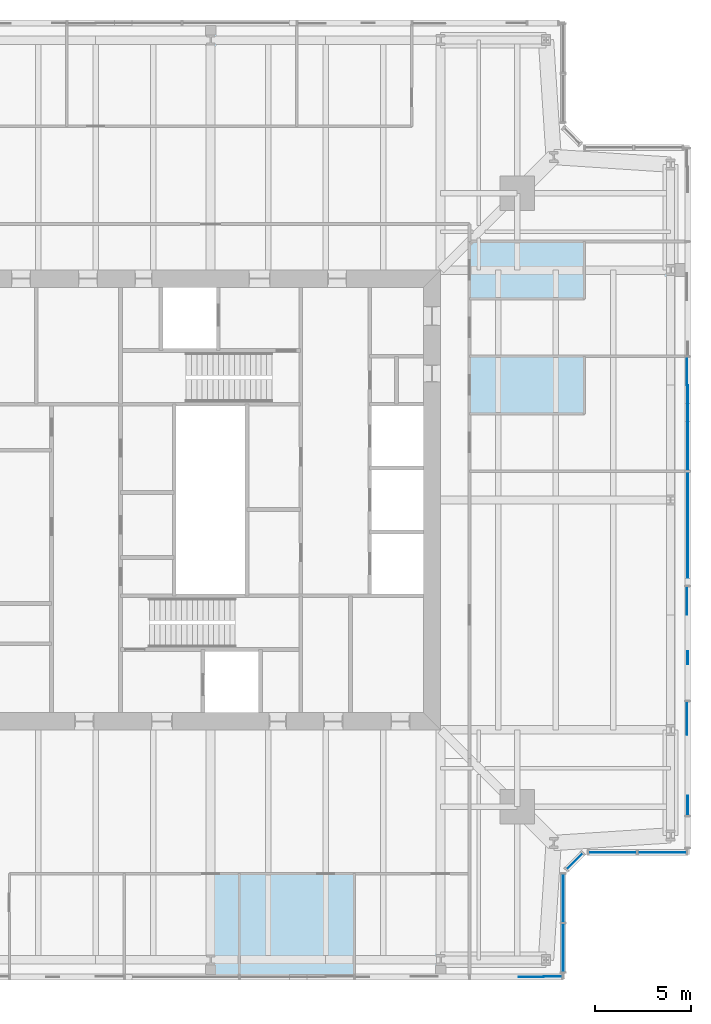
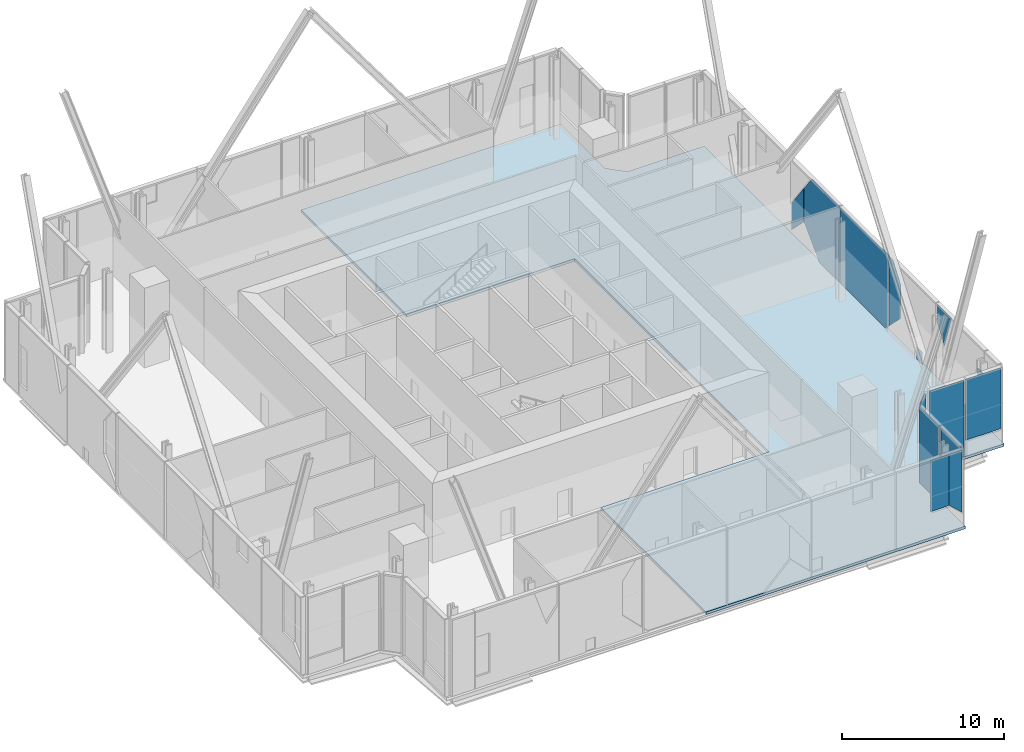
# One storey, part 8 of 20: 14 plates, 1 slab, 5 elements without a shape of their own.
"""IFC4 building model written with IfcOpenShell, lengths in metres."""

from ifc_helpers import new_model, si_unit, direction, frame, origin, origin_2d, place, context, subcontext, project, spatial, polyline, rectangle, outline, extrude, material, layer, layer_set, type_object, element, aggregate, save


model = new_model("IFC4")

# Units and contexts
model_context = context("Model", 3, precision=1e-05, world=origin(), true_north=direction((0.0, 1.0)))
body_context = subcontext(model_context, "Body", "Model", "MODEL_VIEW")
ifc_project = project(units=[si_unit("LENGTHUNIT", "METRE"), si_unit("AREAUNIT", "SQUARE_METRE"), si_unit("VOLUMEUNIT", "CUBIC_METRE"), si_unit("PLANEANGLEUNIT", "RADIAN"), si_unit("MASSUNIT", "GRAM", prefix="KILO")], contexts=[model_context])

# Site, building, storey
site_placement = place(None, origin())
site = spatial("IfcSite", under=ifc_project, at=site_placement, CompositionType="ELEMENT")
building_placement = place(site_placement, origin())
building = spatial("IfcBuilding", under=site, at=building_placement, Name="Fenwick Lantern Interchange", CompositionType="ELEMENT")
storey_placement = place(building_placement, frame((0.0, 0.0, 239.800048828125)))
storey = spatial("IfcBuildingStorey", under=building, at=storey_placement, Name="L56", CompositionType="ELEMENT", Elevation=239.800048828125)

# Slab
ifc_material_1 = material(Name="Concrete f'c 35 MPa", Category="concrete")
ifc_layer_1 = layer(ifc_material_1, 0.199951171875)
ifc_layer_set_1 = layer_set([ifc_layer_1], Name="Concrete f'c 35 MPa")
slab_type = type_object("IfcSlabType", Name="FLOOR SLAB 200", PredefinedType="FLOOR", material=ifc_layer_set_1)
slab_placement = place(storey_placement, frame((0.0, 0.0, -0.199951171875)))
element("IfcSlab", 1, at=slab_placement, inside=storey, type_object=slab_type, Name="L56/SLAB/FE", PredefinedType="FLOOR", context=body_context, shape_type="SweptSolid", body=[
    extrude(outline(polyline([(43.5, 50.0), (43.5, 44.5), (44.5, 43.5), (50.0, 43.5), (50.0, 6.5), (44.5, 6.5), (43.5, 5.5), (43.5, 0.0), (25.0, 0.0), (25.0, 13.0), (37.0, 13.0), (37.0, 37.0), (25.0, 37.0), (25.0, 50.0), (43.5, 50.0)])), origin(), (0.0, 0.0, 1.0), 0.199951171875),
])

# Curtain wall, plates
ifc_material_2 = material(Name="Aluminium curtain wall frame", Category="aluminium")
curtain_wall_type = type_object("IfcCurtainWallType", Name="SKY LOBBY GLAZING", PredefinedType="USERDEFINED", material=ifc_material_2)
curtain_wall_1_placement = place(storey_placement, origin())
curtain_wall_1 = element("IfcCurtainWall", 2, at=curtain_wall_1_placement, inside=storey, type_object=curtain_wall_type, Name="Sky lobby glazing 01", ObjectType="SKY LOBBY GLAZING", PredefinedType="USERDEFINED")
ifc_material_3 = material(Name="Vision glass, clear laminated double glazed", Category="glass")
ifc_layer_2 = layer(ifc_material_3, 0.035888671875)
ifc_layer_set_2 = layer_set([ifc_layer_2], Name="SKY LOBBY GLAZING PANEL 36")
plate_type = type_object("IfcPlateType", Name="SKY LOBBY GLAZING PANEL 36", PredefinedType="CURTAIN_PANEL", material=ifc_layer_set_2)
plate_1_placement = place(storey_placement, frame((6.60009765625, 0.10009765625, 1.89306640625), z_axis=(0.0, 0.0, 1.0), x_axis=(1.0, 0.0, 0.0)))
plate_1 = element("IfcPlate", 3, at=plate_1_placement, type_object=plate_type, Name="L56/CW/01/P06a", PredefinedType="CURTAIN_PANEL", context=body_context, shape_type="SweptSolid", body=[
    extrude(outline(polyline([(34.47021484375, 0.0), (35.789306640625, 0.0), (35.789306640625, 3.8369140625), (34.47021484375, 3.8369140625), (34.47021484375, 0.0)])), frame((0.0, 0.01806640625, 0.0), z_axis=(0.0, -1.0, 0.0), x_axis=(1.0, 0.0, 0.0)), (0.0, 0.0, 1.0), 0.035888671875),
])
plate_2_placement = place(storey_placement, frame((6.60009765625, 0.10009765625, 1.0400390625), z_axis=(0.0, 0.0, 1.0), x_axis=(1.0, 0.0, 0.0)))
plate_2 = element("IfcPlate", 4, at=plate_2_placement, type_object=plate_type, Name="L56/CW/01/P06b", PredefinedType="CURTAIN_PANEL", context=body_context, shape_type="SweptSolid", body=[
    extrude(outline(polyline([(36.719970703125, 0.0), (36.719970703125, 4.68994140625), (35.789306640625, 4.68994140625), (35.789306640625, 0.85302734375), (36.719970703125, 0.0)])), frame((0.0, 0.05615234375, 0.0), z_axis=(0.0, -1.0, 0.0), x_axis=(1.0, 0.0, 0.0)), (0.0, 0.0, 1.0), 0.035888671875),
])
aggregate(curtain_wall_1, [plate_1, plate_2])

curtain_wall_2_placement = place(storey_placement, origin())
curtain_wall_2 = element("IfcCurtainWall", 5, at=curtain_wall_2_placement, inside=storey, type_object=curtain_wall_type, Name="Sky lobby glazing 02", ObjectType="SKY LOBBY GLAZING", PredefinedType="USERDEFINED")
plate_3_placement = place(storey_placement, frame((43.39990234375, 0.10009765625, 1.14990234375), z_axis=(0.0, 0.0, 1.0), x_axis=(0.0, 1.0, 0.0)))
plate_3 = element("IfcPlate", 6, at=plate_3_placement, type_object=plate_type, Name="L56/CW/02/P00a", PredefinedType="CURTAIN_PANEL", context=body_context, shape_type="SweptSolid", body=[
    extrude(outline(polyline([(0.280029296875, 0.0), (2.699951171875, 0.0), (2.699951171875, 4.580078125), (0.280029296875, 4.580078125), (0.280029296875, 0.0)])), frame((0.0, 0.01806640625, 0.0), z_axis=(0.0, -1.0, 0.0), x_axis=(1.0, 0.0, 0.0)), (0.0, 0.0, 1.0), 0.035888671875),
])
plate_4_placement = place(storey_placement, frame((43.39990234375, 4.211181640625, 0.0), z_axis=(0.0, 0.0, 1.0), x_axis=(0.0, 1.0, 0.0)))
plate_4 = element("IfcPlate", 7, at=plate_4_placement, type_object=plate_type, Name="L56/CW/02/P01", PredefinedType="CURTAIN_PANEL", context=body_context, shape_type="SweptSolid", body=[
    extrude(rectangle(XDim=2.500732421875, YDim=0.035888671875, at=origin_2d()), origin(), (0.0, 0.0, 1.0), 5.72998046875),
])
aggregate(curtain_wall_2, [plate_3, plate_4])

# Curtain wall, plate
curtain_wall_3_placement = place(storey_placement, origin())
curtain_wall_3 = element("IfcCurtainWall", 8, at=curtain_wall_3_placement, inside=storey, type_object=curtain_wall_type, Name="Sky lobby glazing 03", ObjectType="SKY LOBBY GLAZING", PredefinedType="USERDEFINED")
plate_5_placement = place(storey_placement, frame((44.0, 6.141357421875, 0.0), z_axis=(0.0, 0.0, 1.0), x_axis=(0.707106781187, 0.707106781187, 0.0)))
plate_5 = element("IfcPlate", 9, at=plate_5_placement, type_object=plate_type, Name="L56/CW/03/P00", PredefinedType="CURTAIN_PANEL", context=body_context, shape_type="SweptSolid", body=[
    extrude(rectangle(XDim=1.136962890625, YDim=0.035888671875, at=origin_2d()), origin(), (0.0, 0.0, 1.0), 5.72998046875),
])
aggregate(curtain_wall_3, [plate_5])

# Curtain wall, plates
curtain_wall_4_placement = place(storey_placement, origin())
curtain_wall_4 = element("IfcCurtainWall", 10, at=curtain_wall_4_placement, inside=storey, type_object=curtain_wall_type, Name="Sky lobby glazing 04", ObjectType="SKY LOBBY GLAZING", PredefinedType="USERDEFINED")
plate_6_placement = place(storey_placement, frame((44.45849609375, 6.60009765625, 0.0), z_axis=(0.0, 0.0, 1.0), x_axis=(1.0, 0.0, 0.0)))
plate_6 = element("IfcPlate", 11, at=plate_6_placement, type_object=plate_type, Name="L56/CW/04/P00a", PredefinedType="CURTAIN_PANEL", context=body_context, shape_type="SweptSolid", body=[
    extrude(outline(polyline([(0.280029296875, 0.0), (2.741455078125, 0.0), (2.741455078125, 5.72998046875), (0.280029296875, 5.72998046875), (0.280029296875, 0.0)])), frame((0.0, 0.01806640625, 0.0), z_axis=(0.0, -1.0, 0.0), x_axis=(1.0, 0.0, 0.0)), (0.0, 0.0, 1.0), 0.035888671875),
])
plate_7_placement = place(storey_placement, frame((44.45849609375, 6.60009765625, 1.14990234375), z_axis=(0.0, 0.0, 1.0), x_axis=(1.0, 0.0, 0.0)))
plate_7 = element("IfcPlate", 12, at=plate_7_placement, type_object=plate_type, Name="L56/CW/04/P01a", PredefinedType="CURTAIN_PANEL", context=body_context, shape_type="SweptSolid", body=[
    extrude(outline(polyline([(2.860595703125, 0.0), (5.361328125, 0.0), (5.361328125, 4.580078125), (2.860595703125, 4.580078125), (2.860595703125, 0.0)])), frame((0.0, 0.01806640625, 0.0), z_axis=(0.0, -1.0, 0.0), x_axis=(1.0, 0.0, 0.0)), (0.0, 0.0, 1.0), 0.035888671875),
])
aggregate(curtain_wall_4, [plate_6, plate_7])

curtain_wall_5_placement = place(storey_placement, origin())
curtain_wall_5 = element("IfcCurtainWall", 13, at=curtain_wall_5_placement, inside=storey, type_object=curtain_wall_type, Name="Sky lobby glazing 05", ObjectType="SKY LOBBY GLAZING", PredefinedType="USERDEFINED")
plate_8_placement = place(storey_placement, frame((49.89990234375, 6.60009765625, 0.879150390625), z_axis=(0.0, 0.0, 1.0), x_axis=(0.0, 1.0, 0.0)))
plate_8 = element("IfcPlate", 14, at=plate_8_placement, type_object=plate_type, Name="L56/CW/05/P01a", PredefinedType="CURTAIN_PANEL", context=body_context, shape_type="SweptSolid", body=[
    extrude(outline(polyline([(1.93994140625, 0.0), (2.955078125, 0.0), (2.955078125, 3.000732421875), (1.93994140625, 3.000732421875), (1.93994140625, 0.0)])), frame((0.0, 0.01806640625, 0.0), z_axis=(0.0, -1.0, 0.0), x_axis=(1.0, 0.0, 0.0)), (0.0, 0.0, 1.0), 0.035888671875),
])
plate_9_placement = place(storey_placement, frame((49.89990234375, 6.60009765625, 3.152587890625), z_axis=(0.0, 0.0, 1.0), x_axis=(0.0, 1.0, 0.0)))
plate_9 = element("IfcPlate", 15, at=plate_9_placement, type_object=plate_type, Name="L56/CW/05/P01b", PredefinedType="CURTAIN_PANEL", context=body_context, shape_type="SweptSolid", body=[
    extrude(outline(polyline([(7.0, 0.0), (7.860107421875, 1.16748046875), (7.860107421875, 2.577392578125), (6.1298828125, 2.577392578125), (7.0, 0.0)])), frame((0.0, 0.05615234375, 0.0), z_axis=(0.0, -1.0, 0.0), x_axis=(1.0, 0.0, 0.0)), (0.0, 0.0, 1.0), 0.035888671875),
])
plate_10_placement = place(storey_placement, frame((49.89990234375, 6.60009765625, 0.0), z_axis=(0.0, 0.0, 1.0), x_axis=(0.0, 1.0, 0.0)))
plate_10 = element("IfcPlate", 16, at=plate_10_placement, type_object=plate_type, Name="L56/CW/05/P02a", PredefinedType="CURTAIN_PANEL", context=body_context, shape_type="SweptSolid", body=[
    extrude(outline(polyline([(9.8291015625, 0.0), (10.50390625, 0.0), (10.50390625, 0.923095703125), (9.8291015625, 0.923095703125), (9.8291015625, 0.0)])), frame((0.0, 0.01806640625, 0.0), z_axis=(0.0, -1.0, 0.0), x_axis=(1.0, 0.0, 0.0)), (0.0, 0.0, 1.0), 0.035888671875),
])
plate_11_placement = place(storey_placement, frame((49.89990234375, 6.60009765625, 0.435546875), z_axis=(0.0, 0.0, 1.0), x_axis=(0.0, 1.0, 0.0)))
plate_11 = element("IfcPlate", 17, at=plate_11_placement, type_object=plate_type, Name="L56/CW/05/P02b", PredefinedType="CURTAIN_PANEL", context=body_context, shape_type="SweptSolid", body=[
    extrude(outline(polyline([(13.860107421875, 0.0), (13.860107421875, 5.29443359375), (13.369873046875, 5.29443359375), (12.39990234375, 3.977783203125), (12.39990234375, 1.4599609375), (13.860107421875, 0.0)])), frame((0.0, 0.05615234375, 0.0), z_axis=(0.0, -1.0, 0.0), x_axis=(1.0, 0.0, 0.0)), (0.0, 0.0, 1.0), 0.035888671875),
])
plate_12_placement = place(storey_placement, frame((49.89990234375, 6.60009765625, 0.0), z_axis=(0.0, 0.0, 1.0), x_axis=(0.0, 1.0, 0.0)))
plate_12 = element("IfcPlate", 18, at=plate_12_placement, type_object=plate_type, Name="L56/CW/05/P03a", PredefinedType="CURTAIN_PANEL", context=body_context, shape_type="SweptSolid", body=[
    extrude(outline(polyline([(14.295654296875, 0.0), (19.860107421875, 0.0), (19.860107421875, 5.72998046875), (13.93994140625, 5.72998046875), (13.93994140625, 0.35546875), (14.295654296875, 0.0)])), frame((0.0, 0.01806640625, 0.0), z_axis=(0.0, -1.0, 0.0), x_axis=(1.0, 0.0, 0.0)), (0.0, 0.0, 1.0), 0.035888671875),
])
plate_13_placement = place(storey_placement, frame((49.89990234375, 6.60009765625, 0.0), z_axis=(0.0, 0.0, 1.0), x_axis=(0.0, 1.0, 0.0)))
plate_13 = element("IfcPlate", 19, at=plate_13_placement, type_object=plate_type, Name="L56/CW/05/P04a", PredefinedType="CURTAIN_PANEL", context=body_context, shape_type="SweptSolid", body=[
    extrude(outline(polyline([(19.93994140625, 0.0), (22.50439453125, 0.0), (24.39990234375, 1.8955078125), (24.39990234375, 4.413330078125), (23.43017578125, 5.72998046875), (19.93994140625, 5.72998046875), (19.93994140625, 0.0)])), frame((0.0, 0.01806640625, 0.0), z_axis=(0.0, -1.0, 0.0), x_axis=(1.0, 0.0, 0.0)), (0.0, 0.0, 1.0), 0.035888671875),
])
plate_14_placement = place(storey_placement, frame((49.89990234375, 6.60009765625, 0.435546875), z_axis=(0.0, 0.0, 1.0), x_axis=(0.0, 1.0, 0.0)))
plate_14 = element("IfcPlate", 20, at=plate_14_placement, type_object=plate_type, Name="L56/CW/05/P04b", PredefinedType="CURTAIN_PANEL", context=body_context, shape_type="SweptSolid", body=[
    extrude(outline(polyline([(25.860107421875, 0.0), (25.860107421875, 1.995849609375), (24.39990234375, 3.977783203125), (24.39990234375, 1.4599609375), (25.860107421875, 0.0)])), frame((0.0, 0.05615234375, 0.0), z_axis=(0.0, -1.0, 0.0), x_axis=(1.0, 0.0, 0.0)), (0.0, 0.0, 1.0), 0.035888671875),
])
aggregate(curtain_wall_5, [plate_8, plate_9, plate_10, plate_11, plate_12, plate_13, plate_14])

save(model, "model.ifc")
